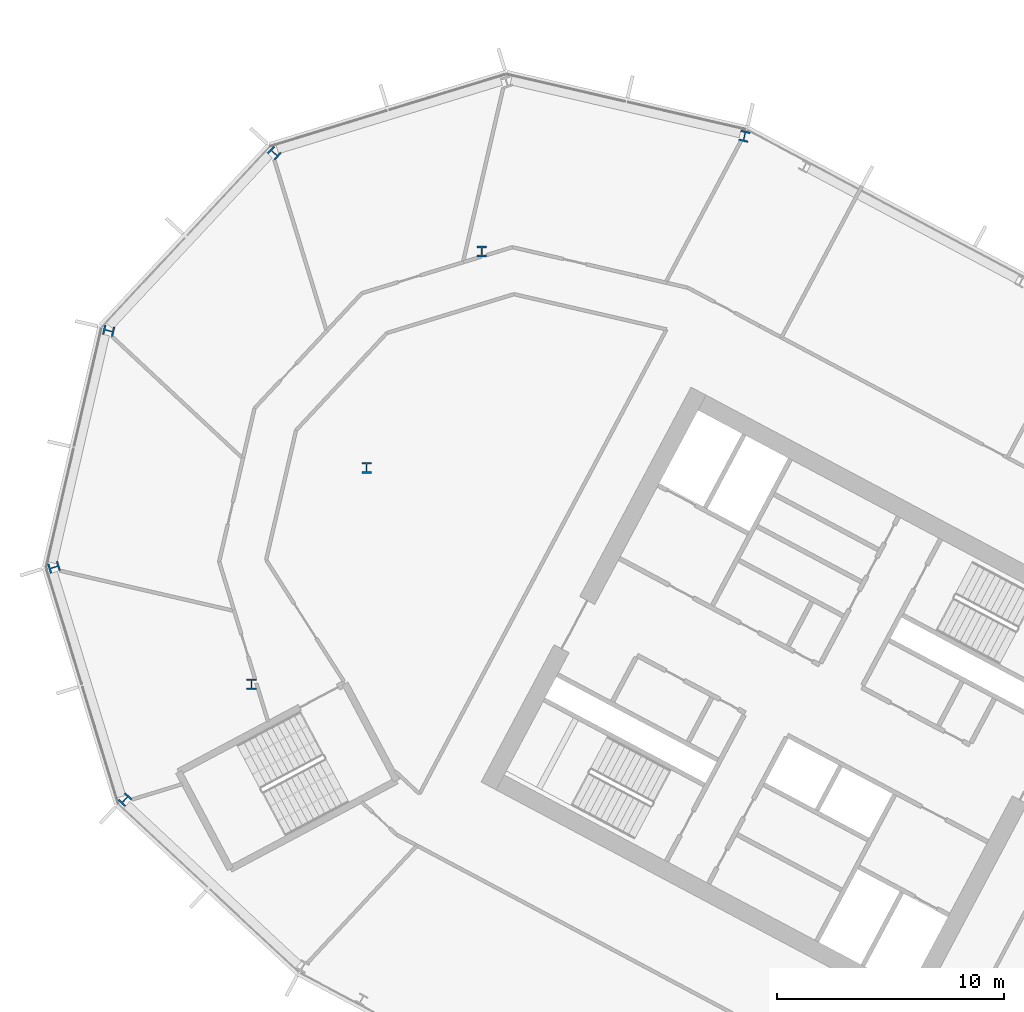
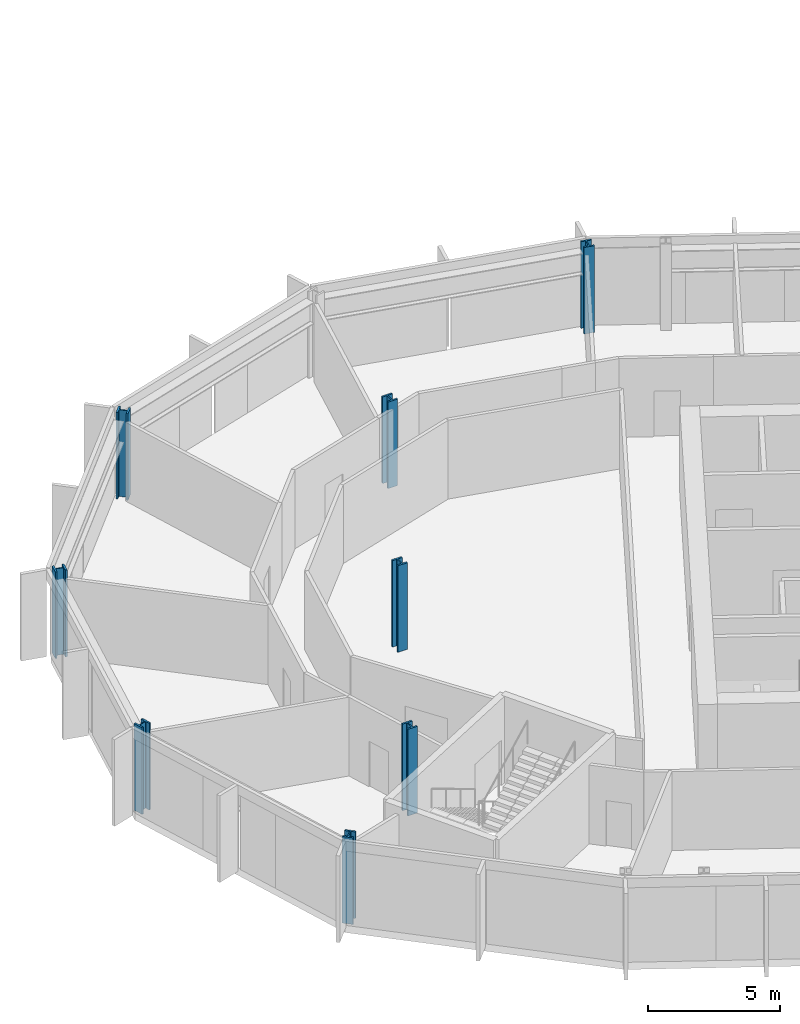
# One storey, part 3 of 28: 8 columns.
"""IFC4 building model written with IfcOpenShell, lengths in metres."""

from ifc_helpers import new_model, si_unit, direction, frame, origin, origin_2d, place, context, subcontext, project, spatial, i_section, extrude, material, material_profile, profile_set, type_object, element, save


model = new_model("IFC4")

# Units and contexts
model_context = context("Model", 3, precision=1e-05, world=origin(), true_north=direction((0.0, 1.0)))
body_context = subcontext(model_context, "Body", "Model", "MODEL_VIEW")
ifc_project = project(units=[si_unit("LENGTHUNIT", "METRE"), si_unit("AREAUNIT", "SQUARE_METRE"), si_unit("VOLUMEUNIT", "CUBIC_METRE"), si_unit("PLANEANGLEUNIT", "RADIAN"), si_unit("MASSUNIT", "GRAM", prefix="KILO")], contexts=[model_context])

# Site, building, storey
site_placement = place(None, origin())
site = spatial("IfcSite", under=ifc_project, at=site_placement, CompositionType="ELEMENT")
building_placement = place(site_placement, origin())
building = spatial("IfcBuilding", under=site, at=building_placement, Name="Cormorant Relay Tower", CompositionType="ELEMENT")
storey_placement = place(building_placement, frame((0.0, 0.0, 170.199951171875)))
storey = spatial("IfcBuildingStorey", under=building, at=storey_placement, Name="L36", CompositionType="ELEMENT", Elevation=170.199951171875)

# Columns
ifc_material = material(Name="Steel ASTM A992 (Fy 345 MPa)", Category="steel")
ifc_material_profile = material_profile(ifc_material, i_section(OverallWidth=0.42431640625, OverallDepth=0.47509765625, WebThickness=0.0478515625, FlangeThickness=0.0771484375, FilletRadius=0.014892578125, at=origin_2d()), Name="W360x634")
ifc_profile_set = profile_set([ifc_material_profile], Name="Steel ASTM A992 (Fy 345 MPa)")
column_type = type_object("IfcColumnType", Name="Column W360x634", PredefinedType="COLUMN", material=ifc_profile_set)
for number, where, z_axis, x_axis, name in (
    (1, (-57.261962890625, 10.173095703125, 0.0), (0.0, 0.0, 1.0), (0.731353701619, -0.681998360062, 0.0), "Column L36-022"),
    (2, (-51.68994140625, 15.251953125, 0.0), (0.0, 0.0, 1.0), (1.0, 0.0, 0.0), "Column L36-028"),
    (3, (-60.389892578125, 20.405029296875, 0.0), (0.0, 0.0, 1.0), (0.292371704723, -0.956304755963, 0.0), "Column L36-030"),
    (4, (-46.6201171875, 24.7880859375, 0.0), (0.0, 0.0, 1.0), (1.0, 0.0, 0.0), "Column L36-033"),
    (5, (-57.98291015625, 30.830078125, 0.0), (0.0, 0.0, 1.0), (-0.224951054344, -0.974370064785, 0.0), "Column L36-037"),
    (6, (-41.549072265625, 34.323974609375, 0.0), (0.0, 0.0, 1.0), (1.0, 0.0, 0.0), "Column L36-041"),
    (7, (-50.68603515625, 38.655029296875, 0.0), (0.0, 0.0, 1.0), (-0.681998360062, -0.731353701619, 0.0), "Column L36-045"),
    (8, (-29.97509765625, 39.39599609375, 0.0), (0.0, 0.0, 1.0), (-0.974370064785, 0.224951054344, 0.0), "Column L36-046"),
):
    element("IfcColumn", number, at=place(storey_placement, frame(where, z_axis=z_axis, x_axis=x_axis)), inside=storey, type_object=column_type, Name=name, PredefinedType="COLUMN", context=body_context, shape_type="SweptSolid", body=[
        extrude(i_section(OverallWidth=0.42431640625, OverallDepth=0.47509765625, WebThickness=0.0478515625, FlangeThickness=0.0771484375, FilletRadius=0.014892578125, at=origin_2d()), origin(), (0.0, 0.0, 1.0), 4.0),
    ])

save(model, "model.ifc")
